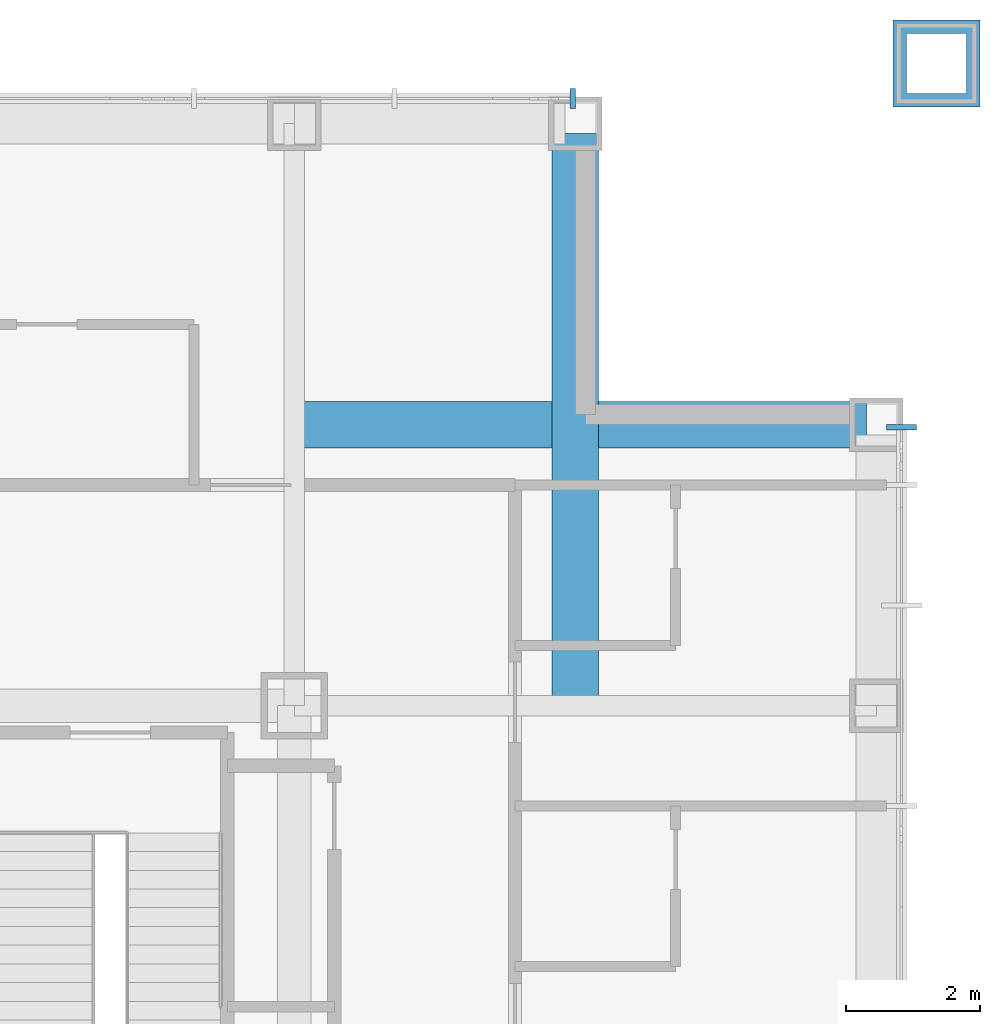
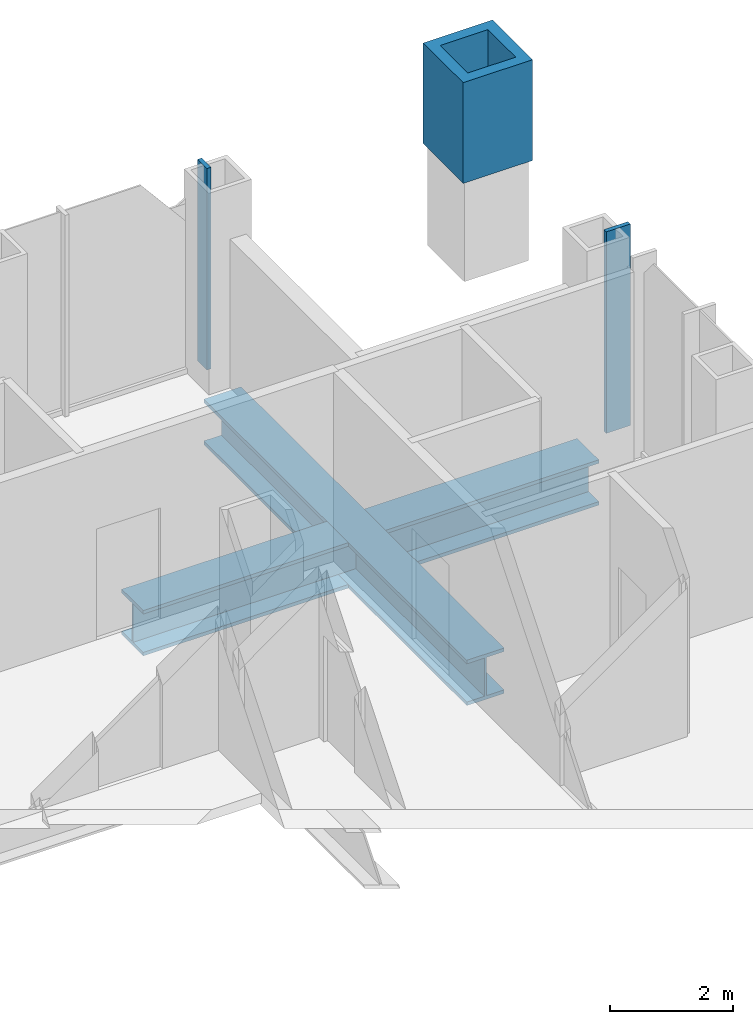
# One storey, part 5 of 25: 3 members, 2 beams, 2 elements without a shape of their own.
"""IFC4 building model written with IfcOpenShell, lengths in metres."""

import ifcopenshell
import ifcopenshell.guid

model = None  # the IFC model being written
_history = None  # IfcOwnerHistory: only IFC2X3 demands one
_inside = {}  # id of a spatial element -> (the spatial element, [elements in it])
_under = {}  # id of a project, library or spatial element -> (it, [spatial elements below it])
_declared = {}  # id of a project -> (the project, [libraries it declares])
_typed = {}  # id of a type object -> (the type object, [elements of that type])
_made_of = {}  # id of a material, layer set ... -> (it, [elements and type objects made of it])


def new_model(schema):
    """Start an empty IFC model of exactly this schema.

    Asked for "IFC4X3", IfcOpenShell would pick the latest addendum, in which some entities
    have other attributes; the version numbers below select the first issue.
    IFC2X3 requires an IfcOwnerHistory on every rooted entity: one is made here for all.
    """
    global model, _history
    if schema == "IFC4X3":
        model = ifcopenshell.file(schema_version=(4, 3, 0, 0))
    else:
        model = ifcopenshell.file(schema=schema)
    _inside.clear()
    _under.clear()
    _declared.clear()
    _typed.clear()
    _made_of.clear()
    _history = None
    if model.schema == "IFC2X3":
        org = make("IfcOrganization", Name="unknown")
        user = make(
            "IfcPersonAndOrganization",
            ThePerson=make("IfcPerson", FamilyName="unknown"),
            TheOrganization=org,
        )
        app = make(
            "IfcApplication",
            ApplicationDeveloper=org,
            Version="unknown",
            ApplicationFullName="unknown",
            ApplicationIdentifier="unknown",
        )
        _history = make(
            "IfcOwnerHistory",
            OwningUser=user,
            OwningApplication=app,
            ChangeAction="ADDED",
            CreationDate=0,
        )
    return model


def make(cls, **values):
    """One entity of the class cls with the attributes given. An attribute that is None is left unset."""
    return model.create_entity(
        cls, **{name: value for name, value in values.items() if value is not None}
    )


def rooted(cls, **values):
    """An entity with a GlobalId (a new one), such as an element, a storey or a relation."""
    return make(cls, GlobalId=ifcopenshell.guid.new(), OwnerHistory=_history, **values)


def si_unit(unit_type, name, prefix=None):
    """IfcSIUnit, for example si_unit("LENGTHUNIT", "METRE", prefix="MILLI")."""
    return make("IfcSIUnit", UnitType=unit_type, Prefix=prefix, Name=name)


def assignment(units):
    """IfcUnitAssignment: the units of a project."""
    return None if units is None else make("IfcUnitAssignment", Units=units)


def point(xyz):
    """IfcCartesianPoint."""
    return None if xyz is None else make("IfcCartesianPoint", Coordinates=xyz)


def direction(xyz):
    """IfcDirection."""
    return None if xyz is None else make("IfcDirection", DirectionRatios=xyz)


def frame(location, z_axis=None, x_axis=None):
    """IfcAxis2Placement3D, a coordinate frame: its origin and axes. An axis left out is left unset."""
    return make(
        "IfcAxis2Placement3D",
        Location=point(location),
        Axis=direction(z_axis),
        RefDirection=direction(x_axis),
    )


def frame_2d(location, x_axis=None):
    """IfcAxis2Placement2D, a coordinate frame in the plane: its origin and x axis."""
    return make(
        "IfcAxis2Placement2D", Location=point(location), RefDirection=direction(x_axis)
    )


def origin():
    """The frame at (0, 0, 0) with its axes left unset."""
    return frame((0.0, 0.0, 0.0))


def origin_2d():
    """The frame at (0, 0) in the plane with its x axis left unset."""
    return frame_2d((0.0, 0.0))


def place(relative_to, where):
    """IfcLocalPlacement: puts the frame where relative to a parent placement (None: the world)."""
    return make(
        "IfcLocalPlacement", PlacementRelTo=relative_to, RelativePlacement=where
    )


def context(
    kind, dimensions, precision=None, world=None, true_north=None, identifier=None
):
    """IfcGeometricRepresentationContext, for example the 3D "Model" context."""
    return make(
        "IfcGeometricRepresentationContext",
        ContextIdentifier=identifier,
        ContextType=kind,
        CoordinateSpaceDimension=dimensions,
        Precision=precision,
        WorldCoordinateSystem=world,
        TrueNorth=true_north,
    )


def subcontext(parent, identifier, kind, view, scale=None):
    """IfcGeometricRepresentationSubContext, for example "Body" below "Model"."""
    return make(
        "IfcGeometricRepresentationSubContext",
        ContextIdentifier=identifier,
        ContextType=kind,
        ParentContext=parent,
        TargetScale=scale,
        TargetView=view,
    )


def project(units=None, contexts=None):
    """IfcProject with its units and contexts."""
    return rooted(
        "IfcProject",
        Name="project",
        RepresentationContexts=contexts,
        UnitsInContext=assignment(units),
    )


def spatial(cls, under=None, at=None, **own):
    """A site, building, storey or space (cls), placed at a placement, below another one or the project."""
    s = rooted(cls, ObjectPlacement=at, **own)
    if under is not None:
        _under.setdefault(under.id(), (under, []))[1].append(s)
    return s


def profile(cls, at=None, kind="AREA", **sizes):
    """A parametric profile (cls). Its sizes go by their IFC names, for example OverallWidth=200.0."""
    return make(cls, ProfileType=kind, Position=at, **sizes)


def rectangle(**sizes):
    """IfcRectangleProfileDef."""
    return profile("IfcRectangleProfileDef", **sizes)


def hollow_rectangle(**sizes):
    """IfcRectangleHollowProfileDef."""
    return profile("IfcRectangleHollowProfileDef", **sizes)


def i_section(**sizes):
    """IfcIShapeProfileDef."""
    return profile("IfcIShapeProfileDef", **sizes)


def extrude(swept, where, along, depth):
    """IfcExtrudedAreaSolid: the profile swept, set in the frame where, extruded along a direction by depth."""
    return make(
        "IfcExtrudedAreaSolid",
        SweptArea=swept,
        Position=where,
        ExtrudedDirection=direction(along),
        Depth=depth,
    )


def shape(context_of_items, identifier, shape_type, items):
    """IfcShapeRepresentation: the items that make up one representation, for example the "Body"."""
    return make(
        "IfcShapeRepresentation",
        ContextOfItems=context_of_items,
        RepresentationIdentifier=identifier,
        RepresentationType=shape_type,
        Items=items,
    )


def material(Name=None, Category=None):
    """IfcMaterial."""
    return make("IfcMaterial", Name=Name, Category=Category)


def layer(
    of_material, thickness, ventilated=None, Name=None, Category=None, Priority=None
):
    """IfcMaterialLayer: one layer of a wall or slab, of a material (None: an air gap)."""
    return make(
        "IfcMaterialLayer",
        Material=of_material,
        LayerThickness=thickness,
        IsVentilated=ventilated,
        Name=Name,
        Category=Category,
        Priority=Priority,
    )


def layer_set(layers, Name=None):
    """IfcMaterialLayerSet."""
    return make("IfcMaterialLayerSet", MaterialLayers=layers, LayerSetName=Name)


def material_profile(
    of_material, cross_section, Name=None, Category=None, Priority=None
):
    """IfcMaterialProfile: a cross section and its material."""
    return make(
        "IfcMaterialProfile",
        Name=Name,
        Material=of_material,
        Profile=cross_section,
        Priority=Priority,
        Category=Category,
    )


def profile_set(profiles, Name=None, composite=None):
    """IfcMaterialProfileSet."""
    return make(
        "IfcMaterialProfileSet",
        Name=Name,
        MaterialProfiles=profiles,
        CompositeProfile=composite,
    )


def made_of(thing, what):
    """Note that an element or type object is made of a material, layer set ...; save() writes the relation."""
    if what is not None:
        _made_of.setdefault(what.id(), (what, []))[1].append(thing)
    return thing


def type_object(cls, material=None, **own):
    """A type object (cls), such as IfcWallType, which elements share."""
    return made_of(rooted(cls, **own), material)


def element(
    cls,
    number,
    at=None,
    inside=None,
    cuts=None,
    type_object=None,
    material=None,
    context=None,
    identifier="Body",
    shape_type=None,
    held_by="IfcProductDefinitionShape",
    body=None,
    shapes=None,
    **own,
):
    """One element of the class cls, such as IfcWall. Its Tag is "e" and its number.

    at: its placement. inside: the storey or other place that contains it. cuts: it is an
    opening in that element (IfcRelVoidsElement). A single representation is given by context,
    identifier, shape_type and body (its items); several are given by shapes. held_by: the class
    of the entity that holds the representations. save() writes the other relations.
    """
    e = rooted(cls, Tag="e%d" % number, ObjectPlacement=at, **own)
    if body is not None:
        shapes = [shape(context, identifier, shape_type, body)]
    if shapes is not None:
        e.Representation = make(held_by, Representations=shapes)
    if inside is not None:
        _inside.setdefault(inside.id(), (inside, []))[1].append(e)
    if cuts is not None:
        rooted(
            "IfcRelVoidsElement", RelatingBuildingElement=cuts, RelatedOpeningElement=e
        )
    if type_object is not None:
        _typed.setdefault(type_object.id(), (type_object, []))[1].append(e)
    return made_of(e, material)


def aggregate(whole, parts):
    """IfcRelAggregates: a whole, such as a stair, and the parts it consists of."""
    return rooted("IfcRelAggregates", RelatingObject=whole, RelatedObjects=parts)


def save(model, path):
    """Write the relations noted so far, then the file.

    IfcRelAggregates (storeys below a building ...), IfcRelContainedInSpatialStructure (elements
    in a storey), IfcRelDefinesByType, IfcRelAssociatesMaterial and IfcRelDeclares: one each for
    every whole, place, type object, material and project.
    """
    for whole, parts in _under.values():
        aggregate(whole, parts)
    for where, things in _inside.values():
        rooted(
            "IfcRelContainedInSpatialStructure",
            RelatedElements=things,
            RelatingStructure=where,
        )
    for kind, things in _typed.values():
        rooted("IfcRelDefinesByType", RelatedObjects=things, RelatingType=kind)
    for what, things in _made_of.values():
        rooted("IfcRelAssociatesMaterial", RelatedObjects=things, RelatingMaterial=what)
    for by, libraries in _declared.values():
        rooted("IfcRelDeclares", RelatingContext=by, RelatedDefinitions=libraries)
    model.write(path)


model = new_model("IFC4")

# Units and contexts
model_context = context("Model", 3, precision=1e-05, world=origin(), true_north=direction((0.0, 1.0)))
body_context = subcontext(model_context, "Body", "Model", "MODEL_VIEW")
ifc_project = project(units=[si_unit("LENGTHUNIT", "METRE"), si_unit("AREAUNIT", "SQUARE_METRE"), si_unit("VOLUMEUNIT", "CUBIC_METRE"), si_unit("PLANEANGLEUNIT", "RADIAN"), si_unit("MASSUNIT", "GRAM", prefix="KILO")], contexts=[model_context])

# Site, building, storey
site_placement = place(None, origin())
site = spatial("IfcSite", under=ifc_project, at=site_placement, CompositionType="ELEMENT")
building_placement = place(site_placement, origin())
building = spatial("IfcBuilding", under=site, at=building_placement, Name="Malebo Sky Hospital", CompositionType="ELEMENT")
storey_placement = place(building_placement, frame((0.0, 0.0, 241.0)))
storey = spatial("IfcBuildingStorey", under=building, at=storey_placement, Name="L58", CompositionType="ELEMENT", Elevation=241.0)

# Curtain wall, member
ifc_material_1 = material(Name="Anodised aluminium, natural silver", Category="aluminium")
ifc_layer_1 = layer(ifc_material_1, 0.25)
ifc_layer_set_1 = layer_set([ifc_layer_1], Name="WARD CURTAIN WALL NORTH AND SOUTH")
curtain_wall_type_1 = type_object("IfcCurtainWallType", Name="WARD CURTAIN WALL NORTH AND SOUTH", PredefinedType="NOTDEFINED", material=ifc_layer_set_1)
curtain_wall_1_placement = place(storey_placement, origin())
curtain_wall_1 = element("IfcCurtainWall", 1, at=curtain_wall_1_placement, inside=storey, type_object=curtain_wall_type_1, Name="NS curtain wall N", PredefinedType="NOTDEFINED")
ifc_material_profile_1 = material_profile(ifc_material_1, rectangle(XDim=0.074951171875, YDim=0.300048828125, at=origin_2d()), Name="CW1 ALUMINIUM FIN MULLION 75x300")
ifc_profile_set_1 = profile_set([ifc_material_profile_1], Name="Anodised aluminium, natural silver")
member_type_1 = type_object("IfcMemberType", Name="CW1 ALUMINIUM FIN MULLION 75x300", PredefinedType="MULLION", material=ifc_profile_set_1)
member_1_placement = place(storey_placement, frame((77.66259765625, 84.574951171875, 0.0), z_axis=(0.0, 0.0, 1.0), x_axis=(1.0, 0.0, 0.0)))
member_1 = element("IfcMember", 2, at=member_1_placement, type_object=member_type_1, Name="Fin mullion 14", PredefinedType="MULLION", context=body_context, shape_type="SweptSolid", body=[
    extrude(rectangle(XDim=0.074951171875, YDim=0.300048828125, at=origin_2d()), origin(), (0.0, 0.0, 1.0), 4.0),
])
aggregate(curtain_wall_1, [member_1])

ifc_layer_2 = layer(ifc_material_1, 0.25)
ifc_layer_set_2 = layer_set([ifc_layer_2], Name="WARD CURTAIN WALL EAST AND WEST")
curtain_wall_type_2 = type_object("IfcCurtainWallType", Name="WARD CURTAIN WALL EAST AND WEST", PredefinedType="NOTDEFINED", material=ifc_layer_set_2)
curtain_wall_2_placement = place(storey_placement, origin())
curtain_wall_2 = element("IfcCurtainWall", 3, at=curtain_wall_2_placement, inside=storey, type_object=curtain_wall_type_2, Name="EW curtain wall E", PredefinedType="NOTDEFINED")
ifc_material_profile_2 = material_profile(ifc_material_1, rectangle(XDim=0.074951171875, YDim=0.449951171875, at=origin_2d()), Name="CW2 ALUMINIUM FIN MULLION 75x450")
ifc_profile_set_2 = profile_set([ifc_material_profile_2], Name="Anodised aluminium, natural silver")
member_type_2 = type_object("IfcMemberType", Name="CW2 ALUMINIUM FIN MULLION 75x450", PredefinedType="MULLION", material=ifc_profile_set_2)
member_2_placement = place(storey_placement, frame((82.574951171875, 79.66259765625, 0.0), z_axis=(0.0, 0.0, 1.0), x_axis=(0.0, -1.0, 0.0)))
member_2 = element("IfcMember", 4, at=member_2_placement, type_object=member_type_2, Name="Fin mullion 1", PredefinedType="MULLION", context=body_context, shape_type="SweptSolid", body=[
    extrude(rectangle(XDim=0.074951171875, YDim=0.449951171875, at=origin_2d()), origin(), (0.0, 0.0, 1.0), 4.0),
])
aggregate(curtain_wall_2, [member_2])

# Beams
ifc_material_2 = material(Name="Steel S355", Category="steel")
ifc_material_profile_3 = material_profile(ifc_material_2, i_section(OverallWidth=0.699951171875, OverallDepth=0.89990234375, WebThickness=0.0400390625, FlangeThickness=0.070068359375, at=origin_2d()), Name="PG 900x700x40x70")
ifc_profile_set_3 = profile_set([ifc_material_profile_3], Name="Steel S355")
beam_type = type_object("IfcBeamType", Name="FLOOR BEAM PG 900x700x40x70", PredefinedType="BEAM", material=ifc_profile_set_3)
for number, where, z_axis, x_axis, name in (
    (5, (77.699951171875, 75.5, -0.699951171875), (0.0, 1.0, 0.0), (-1.0, 0.0, 0.0), "Beam 028 L58"),
    (6, (73.5, 79.699951171875, -0.699951171875), (1.0, 0.0, 0.0), (0.0, 1.0, 0.0), "Beam 062 L58"),
):
    element("IfcBeam", number, at=place(storey_placement, frame(where, z_axis=z_axis, x_axis=x_axis)), inside=storey, type_object=beam_type, Name=name, PredefinedType="BEAM", context=body_context, shape_type="SweptSolid", body=[
        extrude(i_section(OverallWidth=0.699951171875, OverallDepth=0.89990234375, WebThickness=0.0400390625, FlangeThickness=0.070068359375, at=origin_2d()), origin(), (0.0, 0.0, 1.0), 8.550048828125),
    ])

# Member
ifc_material_3 = material(Name="Steel S460", Category="steel")
ifc_material_profile_4 = material_profile(ifc_material_3, hollow_rectangle(XDim=1.300048828125, YDim=1.300048828125, WallThickness=0.199951171875, at=origin_2d()), Name="BOX 1300x1300x200")
ifc_profile_set_4 = profile_set([ifc_material_profile_4], Name="Steel S460")
member_type_3 = type_object("IfcMemberType", Name="MEGA COLUMN NODE BOX 1300x1300x200", PredefinedType="MEMBER", material=ifc_profile_set_4)
member_3_placement = place(storey_placement, frame((83.10009765625, 85.10009765625, 2.0), z_axis=(0.0, 0.0, 1.0), x_axis=(1.0, 0.0, 0.0)))
element("IfcMember", 7, at=member_3_placement, inside=storey, type_object=member_type_3, Name="Mega column node NE L58", PredefinedType="MEMBER", context=body_context, shape_type="SweptSolid", body=[
    extrude(hollow_rectangle(XDim=1.300048828125, YDim=1.300048828125, WallThickness=0.199951171875, at=origin_2d()), origin(), (0.0, 0.0, 1.0), 2.0),
])

save(model, "model.ifc")
